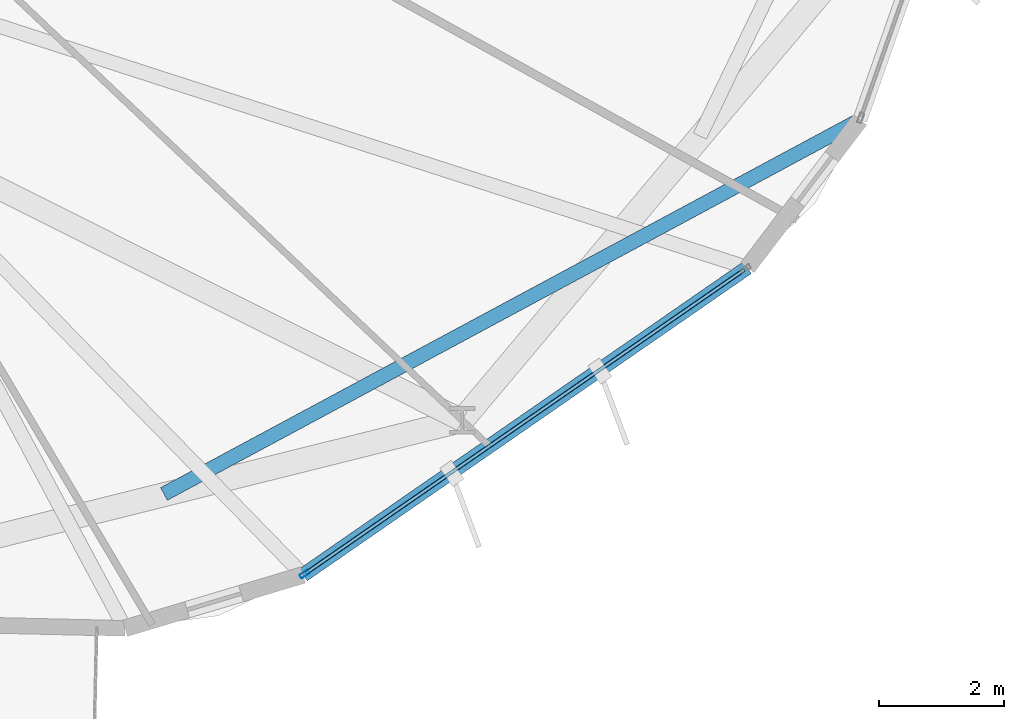
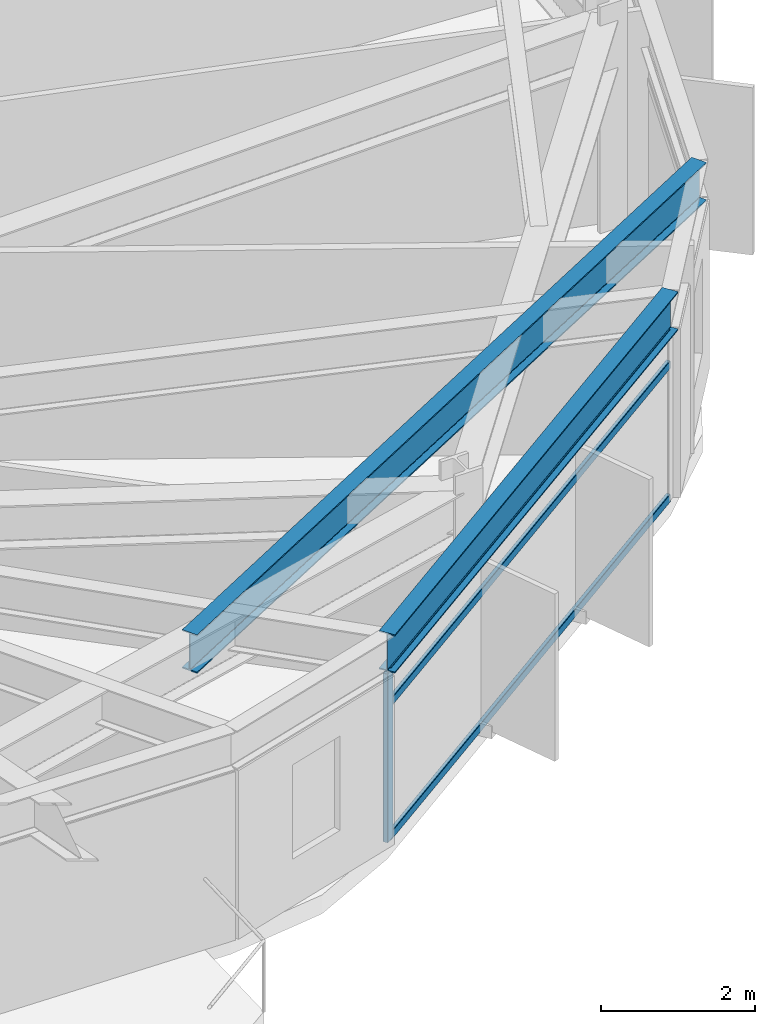
# One storey, part 4 of 22: 4 members, 2 beams, 1 element without a shape of its own.
"""IFC4 building model written with IfcOpenShell, lengths in metres."""

from ifc_helpers import new_model, si_unit, direction, frame, origin, origin_2d, place, context, subcontext, project, spatial, hollow_rectangle, i_section, extrude, material, layer, layer_set, material_profile, profile_set, type_object, element, aggregate, save


model = new_model("IFC4")

# Units and contexts
model_context = context("Model", 3, precision=1e-05, world=origin(), true_north=direction((0.0, 1.0)))
body_context = subcontext(model_context, "Body", "Model", "MODEL_VIEW")
ifc_project = project(units=[si_unit("LENGTHUNIT", "METRE"), si_unit("AREAUNIT", "SQUARE_METRE"), si_unit("VOLUMEUNIT", "CUBIC_METRE"), si_unit("PLANEANGLEUNIT", "RADIAN"), si_unit("MASSUNIT", "GRAM", prefix="KILO")], contexts=[model_context])

# Site, building, storey
site_placement = place(None, origin())
site = spatial("IfcSite", under=ifc_project, at=site_placement, CompositionType="ELEMENT")
building_placement = place(site_placement, origin())
building = spatial("IfcBuilding", under=site, at=building_placement, Name="Soratama Intermodal Tower", CompositionType="ELEMENT")
storey_placement = place(building_placement, frame((0.0, 0.0, 160.60009765625)))
storey = spatial("IfcBuildingStorey", under=building, at=storey_placement, Name="L39", CompositionType="ELEMENT", Elevation=160.60009765625)

# Beams
ifc_material_1 = material(Name="Structural steel ASTM A992 Grade 50", Category="steel")
ifc_material_profile_1 = material_profile(ifc_material_1, i_section(OverallWidth=0.22900390625, OverallDepth=0.612060546875, WebThickness=0.011962890625, FlangeThickness=0.01953125, FilletRadius=0.012939453125, at=origin_2d()), Name="W24X84")
ifc_profile_set_1 = profile_set([ifc_material_profile_1], Name="Structural steel ASTM A992 Grade 50")
beam_type_1 = type_object("IfcBeamType", Name="BM-SPN-W24X84", PredefinedType="SPANDREL", material=ifc_profile_set_1)
beam_1_placement = place(storey_placement, frame((51.735107421875, 7.68994140625, 2.993896484375), z_axis=(0.822372596549, 0.568949305691, 0.0), x_axis=(-0.568949305691, 0.822372596549, 0.0)))
element("IfcBeam", 1, at=beam_1_placement, inside=storey, type_object=beam_type_1, Name="BS-L39-F08", PredefinedType="SPANDREL", context=body_context, shape_type="SweptSolid", body=[
    extrude(i_section(OverallWidth=0.22900390625, OverallDepth=0.612060546875, WebThickness=0.011962890625, FlangeThickness=0.01953125, FilletRadius=0.012939453125, at=origin_2d()), origin(), (0.0, 0.0, 1.0), 8.62109375),
])
ifc_material_2 = material(Name="Structural steel ASTM A992 Grade 50", Category="steel")
ifc_material_profile_2 = material_profile(ifc_material_2, i_section(OverallWidth=0.22900390625, OverallDepth=0.612060546875, WebThickness=0.011962890625, FlangeThickness=0.01953125, FilletRadius=0.012939453125, at=origin_2d()), Name="W24X84")
ifc_profile_set_2 = profile_set([ifc_material_profile_2], Name="Structural steel ASTM A992 Grade 50")
beam_type_2 = type_object("IfcBeamType", Name="BM-TIE-W24X84", PredefinedType="BEAM", material=ifc_profile_set_2)
beam_2_placement = place(storey_placement, frame((49.513916015625, 8.98291015625, 2.993896484375), z_axis=(0.880790996246, 0.473505249108, 0.0), x_axis=(-0.473505249108, 0.880790996246, 0.0)))
element("IfcBeam", 2, at=beam_2_placement, inside=storey, type_object=beam_type_2, Name="BM-L39-TIE0-09", PredefinedType="BEAM", context=body_context, shape_type="SweptSolid", body=[
    extrude(i_section(OverallWidth=0.22900390625, OverallDepth=0.612060546875, WebThickness=0.011962890625, FlangeThickness=0.01953125, FilletRadius=0.012939453125, at=origin_2d()), origin(), (0.0, 0.0, 1.0), 12.61279296875),
])

# Curtain wall, members
ifc_material_3 = material(Name="Double-glazed aluminium curtain wall", Category="aluminium")
ifc_layer = layer(ifc_material_3, 0.159912109375)
ifc_layer_set = layer_set([ifc_layer], Name="Double-glazed aluminium curtain wall")
curtain_wall_type = type_object("IfcCurtainWallType", Name="CW-SYS-4", PredefinedType="NOTDEFINED", material=ifc_layer_set)
curtain_wall_placement = place(storey_placement, origin())
curtain_wall = element("IfcCurtainWall", 3, at=curtain_wall_placement, inside=storey, type_object=curtain_wall_type, Name="L39 Faceted Curtain Wall F08", PredefinedType="NOTDEFINED")
ifc_material_4 = material(Name="Anodised aluminium AA 6063-T6", Category="aluminium")
ifc_material_profile_3 = material_profile(ifc_material_4, hollow_rectangle(XDim=0.070068359375, YDim=0.159912109375, WallThickness=0.0048828125, InnerFilletRadius=0.0048828125, OuterFilletRadius=0.010009765625, at=origin_2d()), Name="CWM160X70X5")
ifc_profile_set_3 = profile_set([ifc_material_profile_3], Name="Anodised aluminium AA 6063-T6")
member_type_1 = type_object("IfcMemberType", Name="MT-CWM-4", PredefinedType="MULLION", material=ifc_profile_set_3)
member_1_placement = place(storey_placement, frame((51.759765625, 7.706787109375, 0.0), z_axis=(0.0, 0.0, 1.0), x_axis=(-0.568991019589, 0.822343735689, 0.0)))
member_1 = element("IfcMember", 4, at=member_1_placement, type_object=member_type_1, Name="CW-4 mullion 1", PredefinedType="MULLION", context=body_context, shape_type="SweptSolid", body=[
    extrude(hollow_rectangle(XDim=0.070068359375, YDim=0.159912109375, WallThickness=0.0048828125, InnerFilletRadius=0.0048828125, OuterFilletRadius=0.010009765625, at=origin_2d()), origin(), (0.0, 0.0, 1.0), 2.678955078125),
])
ifc_material_5 = material(Name="Anodised aluminium AA 6063-T6", Category="aluminium")
ifc_material_profile_4 = material_profile(ifc_material_5, hollow_rectangle(XDim=0.06005859375, YDim=0.1298828125, WallThickness=0.0048828125, InnerFilletRadius=0.0048828125, OuterFilletRadius=0.010009765625, at=origin_2d()), Name="CWT130X60X5")
ifc_profile_set_4 = profile_set([ifc_material_profile_4], Name="Anodised aluminium AA 6063-T6")
member_type_2 = type_object("IfcMemberType", Name="TT-CWT-2", PredefinedType="USERDEFINED", material=ifc_profile_set_4)
member_2_placement = place(storey_placement, frame((51.784423828125, 7.723876953125, 0.02978515625), z_axis=(0.822338965417, 0.568997913842, 0.0), x_axis=(-0.568997913842, 0.822338965417, 0.0)))
member_2 = element("IfcMember", 5, at=member_2_placement, type_object=member_type_2, Name="CW-4 transom 1.1", ObjectType="TRANSOM", PredefinedType="USERDEFINED", context=body_context, shape_type="SweptSolid", body=[
    extrude(hollow_rectangle(XDim=0.06005859375, YDim=0.1298828125, WallThickness=0.0048828125, InnerFilletRadius=0.0048828125, OuterFilletRadius=0.010009765625, at=origin_2d()), origin(), (0.0, 0.0, 1.0), 8.501708984375),
])
member_3_placement = place(storey_placement, frame((51.784423828125, 7.723876953125, 2.14990234375), z_axis=(0.822338965417, 0.568997913842, 0.0), x_axis=(-0.568997913842, 0.822338965417, 0.0)))
member_3 = element("IfcMember", 6, at=member_3_placement, type_object=member_type_2, Name="CW-4 transom 1.2", ObjectType="TRANSOM", PredefinedType="USERDEFINED", context=body_context, shape_type="SweptSolid", body=[
    extrude(hollow_rectangle(XDim=0.06005859375, YDim=0.1298828125, WallThickness=0.0048828125, InnerFilletRadius=0.0048828125, OuterFilletRadius=0.010009765625, at=origin_2d()), origin(), (0.0, 0.0, 1.0), 8.501708984375),
])
member_4_placement = place(storey_placement, frame((51.784423828125, 7.723876953125, 2.64892578125), z_axis=(0.822338965417, 0.568997913842, 0.0), x_axis=(-0.568997913842, 0.822338965417, 0.0)))
member_4 = element("IfcMember", 7, at=member_4_placement, type_object=member_type_2, Name="CW-4 transom 1.3", ObjectType="TRANSOM", PredefinedType="USERDEFINED", context=body_context, shape_type="SweptSolid", body=[
    extrude(hollow_rectangle(XDim=0.06005859375, YDim=0.1298828125, WallThickness=0.0048828125, InnerFilletRadius=0.0048828125, OuterFilletRadius=0.010009765625, at=origin_2d()), origin(), (0.0, 0.0, 1.0), 8.501708984375),
])
aggregate(curtain_wall, [member_1, member_2, member_3, member_4])

save(model, "model.ifc")
